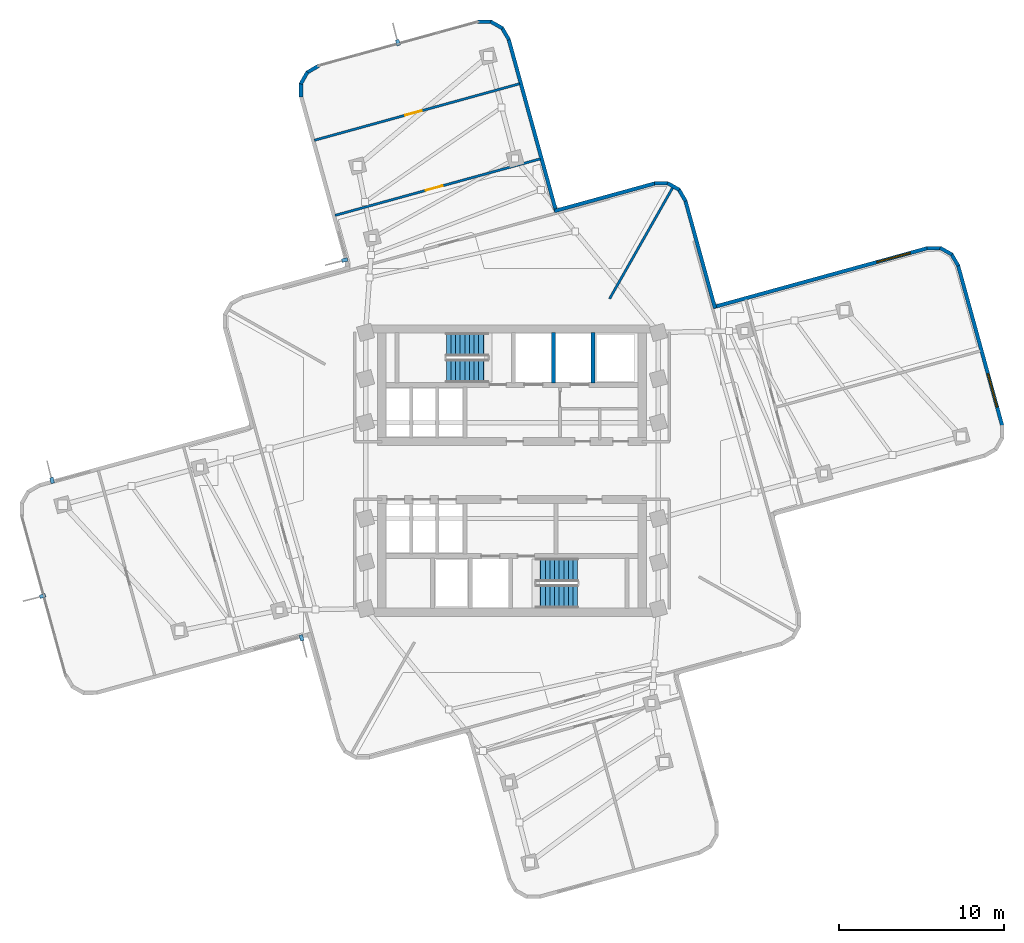
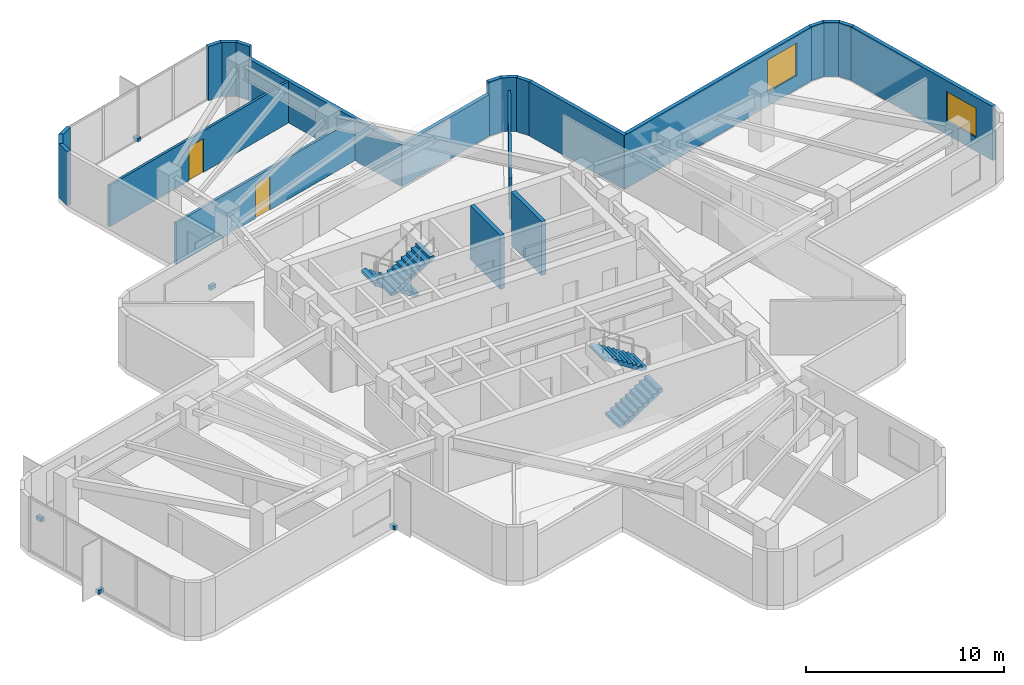
# One storey, part 9 of 12: 22 walls, 5 discrete accessories, 4 stair flights, 2 doors, 2 windows, 4 openings, 2 elements without a shape of their own.
"""IFC4 building model written with IfcOpenShell, lengths in metres."""

from ifc_helpers import new_model, si_unit, direction, frame, frame_2d, origin, origin_2d, place, context, subcontext, project, spatial, polyline, rectangle, outline, extrude, material, layer, layer_set, type_object, element, fill, aggregate, save


model = new_model("IFC4")

# Units and contexts
model_context = context("Model", 3, precision=1e-05, world=origin(), true_north=direction((0.0, 1.0)))
body_context = subcontext(model_context, "Body", "Model", "MODEL_VIEW")
ifc_project = project(units=[si_unit("LENGTHUNIT", "METRE"), si_unit("AREAUNIT", "SQUARE_METRE"), si_unit("VOLUMEUNIT", "CUBIC_METRE"), si_unit("PLANEANGLEUNIT", "RADIAN"), si_unit("MASSUNIT", "GRAM", prefix="KILO")], contexts=[model_context])

# Site, building, storey
site_placement = place(None, origin())
site = spatial("IfcSite", under=ifc_project, at=site_placement, CompositionType="ELEMENT")
building_placement = place(site_placement, origin())
building = spatial("IfcBuilding", under=site, at=building_placement, Name="Solmarez Civic Tower", CompositionType="ELEMENT")
storey_placement = place(building_placement, frame((0.0, 0.0, 134.280029296875)))
storey = spatial("IfcBuildingStorey", under=building, at=storey_placement, Name="L35", CompositionType="ELEMENT", Elevation=134.280029296875)

# Walls
ifc_material_1 = material(Name="Precast concrete C40/50", Category="concrete")
ifc_layer_1 = layer(ifc_material_1, 0.219970703125)
ifc_layer_set_1 = layer_set([ifc_layer_1], Name="Precast concrete C40/50")
wall_type_1 = type_object("IfcWallType", Name="WALL-EXT-220", PredefinedType="SOLIDWALL", material=ifc_layer_set_1)
wall_1_placement = place(storey_placement, frame((-12.751953125, 22.5859375, 0.0), z_axis=(0.0, 0.0, 1.0), x_axis=(-0.007318305188, 0.999973220846, 0.0)))
element("IfcWall", 1, at=wall_1_placement, inside=storey, type_object=wall_type_1, Name="L35 Exterior Precast Wall 21", PredefinedType="SOLIDWALL", context=body_context, shape_type="SweptSolid", body=[
    extrude(rectangle(XDim=0.833984375, YDim=0.219970703125, at=frame_2d((0.4169921875, 0.0))), origin(), (0.0, 0.0, 1.0), 3.320068359375),
])
wall_2_placement = place(storey_placement, frame((-12.77001953125, 23.373046875, 0.0), z_axis=(0.0, 0.0, 1.0), x_axis=(0.493087743786, 0.869979584202, 0.0)))
element("IfcWall", 2, at=wall_2_placement, inside=storey, type_object=wall_type_1, Name="L35 Exterior Precast Wall 22", PredefinedType="SOLIDWALL", context=body_context, shape_type="SweptSolid", body=[
    extrude(rectangle(XDim=0.8193359375, YDim=0.219970703125, at=frame_2d((0.40966796875, 0.0))), origin(), (0.0, 0.0, 1.0), 3.320068359375),
])
wall_3_placement = place(storey_placement, frame((-12.39990234375, 24.051025390625, 0.0), z_axis=(0.0, 0.0, 1.0), x_axis=(0.862451814289, 0.506139178517, 0.0)))
element("IfcWall", 3, at=wall_3_placement, inside=storey, type_object=wall_type_1, Name="L35 Exterior Precast Wall 23", PredefinedType="SOLIDWALL", context=body_context, shape_type="SweptSolid", body=[
    extrude(rectangle(XDim=0.8359375, YDim=0.219970703125, at=frame_2d((0.41796875, 0.0))), origin(), (0.0, 0.0, 1.0), 3.320068359375),
])
wall_4_placement = place(storey_placement, frame((-2.074951171875, 27.118896484375, 0.0), z_axis=(0.0, 0.0, 1.0), x_axis=(0.999973220846, 0.007318305188, 0.0)))
element("IfcWall", 4, at=wall_4_placement, inside=storey, type_object=wall_type_1, Name="L35 Exterior Precast Wall 25", PredefinedType="SOLIDWALL", context=body_context, shape_type="SweptSolid", body=[
    extrude(rectangle(XDim=0.833984375, YDim=0.219970703125, at=frame_2d((0.4169921875, 0.0))), origin(), (0.0, 0.0, 1.0), 3.320068359375),
])
wall_5_placement = place(storey_placement, frame((-1.2880859375, 27.136962890625, 0.0), z_axis=(0.0, 0.0, 1.0), x_axis=(0.87005199541, -0.492959963164, 0.0)))
element("IfcWall", 5, at=wall_5_placement, inside=storey, type_object=wall_type_1, Name="L35 Exterior Precast Wall 26", PredefinedType="SOLIDWALL", context=body_context, shape_type="SweptSolid", body=[
    extrude(rectangle(XDim=0.819580078125, YDim=0.219970703125, at=frame_2d((0.40966796875, 0.0))), origin(), (0.0, 0.0, 1.0), 3.320068359375),
])
wall_6_placement = place(storey_placement, frame((-0.610107421875, 26.76708984375, 0.0), z_axis=(0.0, 0.0, 1.0), x_axis=(0.506011715077, -0.862526604926, 0.0)))
element("IfcWall", 6, at=wall_6_placement, inside=storey, type_object=wall_type_1, Name="L35 Exterior Precast Wall 27", PredefinedType="SOLIDWALL", context=body_context, shape_type="SweptSolid", body=[
    extrude(rectangle(XDim=0.836181640625, YDim=0.219970703125, at=frame_2d((0.41796875, 0.0))), origin(), (0.0, 0.0, 1.0), 3.320068359375),
])
wall_7_placement = place(storey_placement, frame((-0.20703125, 26.092041015625, 0.0), z_axis=(0.0, 0.0, 1.0), x_axis=(0.265529084478, -0.964102849958, 0.0)))
element("IfcWall", 7, at=wall_7_placement, inside=storey, type_object=wall_type_1, Name="L35 Exterior Precast Wall 28", PredefinedType="SOLIDWALL", context=body_context, shape_type="SweptSolid", body=[
    extrude(rectangle(XDim=10.857666015625, YDim=0.219970703125, at=frame_2d((5.4287109375, 0.0))), origin(), (0.0, 0.0, 1.0), 2.550048828125),
])
wall_8_placement = place(storey_placement, frame((2.568115234375, 15.68603515625, 0.0), z_axis=(0.0, 0.0, 1.0), x_axis=(0.964094670911, 0.265558779784, 0.0)))
element("IfcWall", 8, at=wall_8_placement, inside=storey, type_object=wall_type_1, Name="L35 Exterior Precast Wall 31", PredefinedType="SOLIDWALL", context=body_context, shape_type="SweptSolid", body=[
    extrude(rectangle(XDim=6.318603515625, YDim=0.219970703125, at=frame_2d((3.1591796875, 0.0))), origin(), (0.0, 0.0, 1.0), 2.550048828125),
])
wall_9_placement = place(storey_placement, frame((8.611083984375, 17.35693359375, 0.0), z_axis=(0.0, 0.0, 1.0), x_axis=(0.999981148579, 0.006140235123, 0.0)))
element("IfcWall", 9, at=wall_9_placement, inside=storey, type_object=wall_type_1, Name="L35 Exterior Precast Wall 32", PredefinedType="SOLIDWALL", context=body_context, shape_type="SweptSolid", body=[
    extrude(rectangle(XDim=0.8349609375, YDim=0.219970703125, at=frame_2d((0.41748046875, 0.0))), origin(), (0.0, 0.0, 1.0), 3.320068359375),
])
wall_10_placement = place(storey_placement, frame((9.39892578125, 17.3740234375, 0.0), z_axis=(0.0, 0.0, 1.0), x_axis=(0.87005199541, -0.492959963164, 0.0)))
element("IfcWall", 10, at=wall_10_placement, inside=storey, type_object=wall_type_1, Name="L35 Exterior Precast Wall 33", PredefinedType="SOLIDWALL", context=body_context, shape_type="SweptSolid", body=[
    extrude(rectangle(XDim=0.819580078125, YDim=0.219970703125, at=frame_2d((0.40966796875, 0.0))), origin(), (0.0, 0.0, 1.0), 3.320068359375),
])
wall_11_placement = place(storey_placement, frame((10.076904296875, 17.00390625, 0.0), z_axis=(0.0, 0.0, 1.0), x_axis=(0.505779557172, -0.862662761192, 0.0)))
element("IfcWall", 11, at=wall_11_placement, inside=storey, type_object=wall_type_1, Name="L35 Exterior Precast Wall 34", PredefinedType="SOLIDWALL", context=body_context, shape_type="SweptSolid", body=[
    extrude(rectangle(XDim=0.83447265625, YDim=0.219970703125, at=frame_2d((0.417236328125, 0.0))), origin(), (0.0, 0.0, 1.0), 3.320068359375),
])
wall_12_placement = place(storey_placement, frame((10.47900390625, 16.330078125, 0.0), z_axis=(0.0, 0.0, 1.0), x_axis=(0.265567840793, -0.964092175021, 0.0)))
element("IfcWall", 12, at=wall_12_placement, inside=storey, type_object=wall_type_1, Name="L35 Exterior Precast Wall 35", PredefinedType="SOLIDWALL", context=body_context, shape_type="SweptSolid", body=[
    extrude(rectangle(XDim=6.7587890625, YDim=0.219970703125, at=frame_2d((3.37939453125, 0.0))), origin(), (0.0, 0.0, 1.0), 3.320068359375),
])

# Wall, opening, window
wall_13_placement = place(storey_placement, frame((12.166015625, 9.8759765625, 0.0), z_axis=(0.0, 0.0, 1.0), x_axis=(0.964099811745, 0.2655401156, 0.0)))
wall_13 = element("IfcWall", 13, at=wall_13_placement, inside=storey, type_object=wall_type_1, Name="L35 Exterior Precast Wall 38", PredefinedType="SOLIDWALL", context=body_context, shape_type="SweptSolid", body=[
    extrude(rectangle(XDim=13.459228515625, YDim=0.219970703125, at=frame_2d((6.7294921875, 0.0))), origin(), (0.0, 0.0, 1.0), 3.320068359375),
])
opening_1_placement = place(wall_13_placement, frame((10.259033203125, 0.0, 0.85009765625)))
opening_1 = element("IfcOpeningElement", 14, at=opening_1_placement, cuts=wall_13, Name="Opening W-03", PredefinedType="OPENING", context=body_context, shape_type="SweptSolid", body=[
    extrude(rectangle(XDim=2.10009765625, YDim=2.0, at=frame_2d((1.050048828125, 1.0))), frame((0.0, 0.119873046875, 0.0), z_axis=(0.0, -1.0, 0.0), x_axis=(1.0, 0.0, 0.0)), (0.0, 0.0, 1.0), 0.239990234375),
])
ifc_material_2 = material(Name="Solar Control Bronze-Tinted Insulating Glass", Category="glass")
window_type_1 = type_object("IfcWindowType", Name="WIN-2100X2000", PartitioningType="SINGLE_PANEL", PredefinedType="WINDOW", material=ifc_material_2)
window_1_placement = place(opening_1_placement, origin())
window_1 = element("IfcWindow", 15, at=window_1_placement, inside=storey, type_object=window_type_1, Name="L35 Exterior Facade Window 38", OverallHeight=2.0, OverallWidth=2.10009765625, PartitioningType="SINGLE_PANEL", PredefinedType="WINDOW", context=body_context, shape_type="SweptSolid", body=[
    extrude(rectangle(XDim=2.10009765625, YDim=2.0, at=frame_2d((1.050048828125, 1.0))), frame((0.0, 0.030029296875, 0.0), z_axis=(0.0, -1.0, 0.0), x_axis=(1.0, 0.0, 0.0)), (0.0, 0.0, 1.0), 0.06005859375),
])
fill(opening_1, window_1)

# Walls
wall_14_placement = place(storey_placement, frame((25.093017578125, 13.443115234375, 0.0), z_axis=(0.0, 0.0, 1.0), x_axis=(0.999982861094, 0.005854700592, 0.0)))
element("IfcWall", 16, at=wall_14_placement, inside=storey, type_object=wall_type_1, Name="L35 Exterior Precast Wall 39", PredefinedType="SOLIDWALL", context=body_context, shape_type="SweptSolid", body=[
    extrude(rectangle(XDim=0.833984375, YDim=0.219970703125, at=frame_2d((0.4169921875, 0.0))), origin(), (0.0, 0.0, 1.0), 3.320068359375),
])
wall_15_placement = place(storey_placement, frame((25.8798828125, 13.4599609375, 0.0), z_axis=(0.0, 0.0, 1.0), x_axis=(0.87005199541, -0.492959963164, 0.0)))
element("IfcWall", 17, at=wall_15_placement, inside=storey, type_object=wall_type_1, Name="L35 Exterior Precast Wall 40", PredefinedType="SOLIDWALL", context=body_context, shape_type="SweptSolid", body=[
    extrude(rectangle(XDim=0.819580078125, YDim=0.219970703125, at=frame_2d((0.40966796875, 0.0))), origin(), (0.0, 0.0, 1.0), 3.320068359375),
])
wall_16_placement = place(storey_placement, frame((26.55810546875, 13.090087890625, 0.0), z_axis=(0.0, 0.0, 1.0), x_axis=(0.506432207312, -0.862279780232, 0.0)))
element("IfcWall", 18, at=wall_16_placement, inside=storey, type_object=wall_type_1, Name="L35 Exterior Precast Wall 41", PredefinedType="SOLIDWALL", context=body_context, shape_type="SweptSolid", body=[
    extrude(rectangle(XDim=0.8349609375, YDim=0.219970703125, at=frame_2d((0.41748046875, 0.0))), origin(), (0.0, 0.0, 1.0), 3.320068359375),
])

# Wall, opening, window
wall_17_placement = place(storey_placement, frame((26.9609375, 12.416015625, 0.0), z_axis=(0.0, 0.0, 1.0), x_axis=(0.265584520086, -0.964087580405, 0.0)))
wall_17 = element("IfcWall", 19, at=wall_17_placement, inside=storey, type_object=wall_type_1, Name="L35 Exterior Precast Wall 42", PredefinedType="SOLIDWALL", context=body_context, shape_type="SweptSolid", body=[
    extrude(rectangle(XDim=10.061279296875, YDim=0.219970703125, at=frame_2d((5.03076171875, 0.0))), origin(), (0.0, 0.0, 1.0), 3.320068359375),
])
opening_2_placement = place(wall_17_placement, frame((6.798095703125, 0.0, 0.85009765625)))
opening_2 = element("IfcOpeningElement", 20, at=opening_2_placement, cuts=wall_17, Name="Opening W-07", PredefinedType="OPENING", context=body_context, shape_type="SweptSolid", body=[
    extrude(rectangle(XDim=2.10009765625, YDim=1.800048828125, at=frame_2d((1.050048828125, 0.89990234375))), frame((0.0, 0.119873046875, 0.0), z_axis=(0.0, -1.0, 0.0), x_axis=(1.0, 0.0, 0.0)), (0.0, 0.0, 1.0), 0.239990234375),
])
window_type_2 = type_object("IfcWindowType", Name="WIN-2100X1800", PartitioningType="SINGLE_PANEL", PredefinedType="WINDOW", material=ifc_material_2)
window_2_placement = place(opening_2_placement, origin())
window_2 = element("IfcWindow", 21, at=window_2_placement, inside=storey, type_object=window_type_2, Name="L35 Exterior Facade Window 42", OverallHeight=1.800048828125, OverallWidth=2.10009765625, PartitioningType="SINGLE_PANEL", PredefinedType="WINDOW", context=body_context, shape_type="SweptSolid", body=[
    extrude(rectangle(XDim=2.10009765625, YDim=1.800048828125, at=frame_2d((1.050048828125, 0.89990234375))), frame((0.0, 0.030029296875, 0.0), z_axis=(0.0, -1.0, 0.0), x_axis=(1.0, 0.0, 0.0)), (0.0, 0.0, 1.0), 0.06005859375),
])
fill(opening_2, window_2)

# Wall
ifc_material_3 = material(Name="Gypsum Board Acoustic Steel-Stud Partition", Category="steel")
ifc_layer_2 = layer(ifc_material_3, 0.14501953125)
ifc_layer_set_2 = layer_set([ifc_layer_2], Name="Gypsum Board Acoustic Steel-Stud Partition")
wall_type_2 = type_object("IfcWallType", Name="WALL-INT-PART-150", PredefinedType="PARTITIONING", material=ifc_layer_set_2)
wall_18_placement = place(storey_placement, frame((5.89697265625, 10.3798828125, 0.0), z_axis=(0.0, 0.0, 1.0), x_axis=(0.49389771586, 0.869520009125, 0.0)))
element("IfcWall", 22, at=wall_18_placement, inside=storey, type_object=wall_type_2, Name="L35 Interior Partition PT-L35-QDIV-1", PredefinedType="PARTITIONING", context=body_context, shape_type="SweptSolid", body=[
    extrude(rectangle(XDim=7.736572265625, YDim=0.14501953125, at=frame_2d((3.8681640625, 0.0))), origin(), (0.0, 0.0, 1.0), 2.550048828125),
])

# Wall, opening, door
wall_19_placement = place(storey_placement, frame((-10.695068359375, 15.423095703125, 0.0), z_axis=(0.0, 0.0, 1.0), x_axis=(0.96409048194, 0.265573987115, 0.0)))
wall_19 = element("IfcWall", 23, at=wall_19_placement, inside=storey, type_object=wall_type_2, Name="L35 Interior Partition PT-L35-N-SC1", PredefinedType="PARTITIONING", context=body_context, shape_type="SweptSolid", body=[
    extrude(rectangle(XDim=12.8701171875, YDim=0.14501953125, at=frame_2d((6.43505859375, 0.0))), origin(), (0.0, 0.0, 1.0), 2.550048828125),
])
opening_3_placement = place(wall_19_placement, frame((5.68994140625, 0.0, 0.0)))
opening_3 = element("IfcOpeningElement", 24, at=opening_3_placement, cuts=wall_19, Name="Opening D-13", PredefinedType="OPENING", context=body_context, shape_type="SweptSolid", body=[
    extrude(rectangle(XDim=1.050048828125, YDim=2.080078125, at=frame_2d((0.52490234375, 1.0400390625))), frame((0.0, 0.08251953125, 0.0), z_axis=(0.0, -1.0, 0.0), x_axis=(1.0, 0.0, 0.0)), (0.0, 0.0, 1.0), 0.1650390625),
])
ifc_material_4 = material(Name="Timber Directorate Office Door", Category="wood")
door_type = type_object("IfcDoorType", Name="DOOR-INT-1050", OperationType="NOTDEFINED", PredefinedType="DOOR", material=ifc_material_4)
door_1_placement = place(opening_3_placement, origin())
door_1 = element("IfcDoor", 25, at=door_1_placement, inside=storey, type_object=door_type, Name="L35 Delegates Sitting Lounge North Door", OperationType="SINGLE_SWING_LEFT", OverallHeight=2.080078125, OverallWidth=1.050048828125, PredefinedType="DOOR", context=body_context, shape_type="SweptSolid", body=[
    extrude(rectangle(XDim=1.050048828125, YDim=2.080078125, at=frame_2d((0.52490234375, 1.0400390625))), frame((0.0, 0.02490234375, 0.0), z_axis=(0.0, -1.0, 0.0), x_axis=(1.0, 0.0, 0.0)), (0.0, 0.0, 1.0), 0.050048828125),
])
fill(opening_3, door_1)

wall_20_placement = place(storey_placement, frame((-11.946044921875, 19.964111328125, 0.0), z_axis=(0.0, 0.0, 1.0), x_axis=(0.96409048194, 0.265573987115, 0.0)))
wall_20 = element("IfcWall", 26, at=wall_20_placement, inside=storey, type_object=wall_type_2, Name="L35 Interior Partition PT-L35-N-SC2", PredefinedType="PARTITIONING", context=body_context, shape_type="SweptSolid", body=[
    extrude(rectangle(XDim=12.8701171875, YDim=0.14501953125, at=frame_2d((6.43505859375, 0.0))), origin(), (0.0, 0.0, 1.0), 2.550048828125),
])
opening_4_placement = place(wall_20_placement, frame((5.68994140625, 0.0, 0.0)))
opening_4 = element("IfcOpeningElement", 27, at=opening_4_placement, cuts=wall_20, Name="Opening D-13", PredefinedType="OPENING", context=body_context, shape_type="SweptSolid", body=[
    extrude(rectangle(XDim=1.050048828125, YDim=2.080078125, at=frame_2d((0.52490234375, 1.0400390625))), frame((0.0, 0.08251953125, 0.0), z_axis=(0.0, -1.0, 0.0), x_axis=(1.0, 0.0, 0.0)), (0.0, 0.0, 1.0), 0.1650390625),
])
door_2_placement = place(opening_4_placement, origin())
door_2 = element("IfcDoor", 28, at=door_2_placement, inside=storey, type_object=door_type, Name="L35 Legislative Seminar Room North Door", OperationType="SINGLE_SWING_RIGHT", OverallHeight=2.080078125, OverallWidth=1.050048828125, PredefinedType="DOOR", context=body_context, shape_type="SweptSolid", body=[
    extrude(rectangle(XDim=1.050048828125, YDim=2.080078125, at=frame_2d((0.52490234375, 1.0400390625))), frame((0.0, 0.02490234375, 0.0), z_axis=(0.0, -1.0, 0.0), x_axis=(1.0, 0.0, 0.0)), (0.0, 0.0, 1.0), 0.050048828125),
])
fill(opening_4, door_2)

# Walls
ifc_material_5 = material(Name="Concrete C50/60", Category="concrete")
ifc_layer_3 = layer(ifc_material_5, 0.300048828125)
ifc_layer_set_3 = layer_set([ifc_layer_3], Name="Concrete C50/60")
wall_type_3 = type_object("IfcWallType", Name="WALL-STR-300", PredefinedType="SOLIDWALL", material=ifc_layer_set_3)
for number, where, z_axis, x_axis, name in (
    (29, (2.5, 5.300048828125, 0.0), (0.0, 0.0, 1.0), (0.0, 1.0, 0.0), "L35 Split-Core Structural Wall SHW-N2-L35"),
    (30, (4.89990234375, 5.300048828125, 0.0), (0.0, 0.0, 1.0), (0.0, 1.0, 0.0), "L35 Split-Core Structural Wall SHW-N3-L35"),
):
    element("IfcWall", number, at=place(storey_placement, frame(where, z_axis=z_axis, x_axis=x_axis)), inside=storey, type_object=wall_type_3, Name=name, PredefinedType="SOLIDWALL", context=body_context, shape_type="SweptSolid", body=[
        extrude(rectangle(XDim=3.0400390625, YDim=0.25, at=frame_2d((1.52001953125, 0.0))), origin(), (0.0, 0.0, 1.0), 3.320068359375),
    ])

# Stair, stair flights
stair_type = type_object("IfcStairType", Name="STAIR-DOGLEG-140W-20R-1800", PredefinedType="HALF_TURN_STAIR", material=ifc_material_5)
stair_1_placement = place(storey_placement, origin())
stair_1 = element("IfcStair", 31, at=stair_1_placement, inside=storey, type_object=stair_type, Name="L35 North Core Protected Exit Stair ST-1", PredefinedType="HALF_TURN_STAIR")
stair_flight_type = type_object("IfcStairFlightType", Name="FLIGHT-DOGLEG-140W-10R-1800", PredefinedType="STRAIGHT", material=ifc_material_5)
stair_flight_1_placement = place(storey_placement, frame((-1.449951171875, 7.6201171875, 0.0), z_axis=(0.0, 0.0, 1.0), x_axis=(-1.0, 0.0, 0.0)))
stair_flight_1 = element("IfcStairFlight", 32, at=stair_flight_1_placement, type_object=stair_flight_type, Name="ST-1 flight 1", NumberOfRisers=10, NumberOfTreads=9, PredefinedType="STRAIGHT", RiserHeight=0.18, TreadLength=0.28, context=body_context, shape_type="SweptSolid", body=[
    extrude(outline(polyline([(0.0, 0.0), (0.0, 0.179931640625), (0.280029296875, 0.179931640625), (0.280029296875, 0.360107421875), (0.56005859375, 0.360107421875), (0.56005859375, 0.5400390625), (0.840087890625, 0.5400390625), (0.840087890625, 0.719970703125), (1.1201171875, 0.719970703125), (1.1201171875, 0.89990234375), (1.39990234375, 0.89990234375), (1.39990234375, 1.080078125), (1.679931640625, 1.080078125), (1.679931640625, 1.260009765625), (1.9599609375, 1.260009765625), (1.9599609375, 1.43994140625), (2.239990234375, 1.43994140625), (2.239990234375, 1.6201171875), (2.52001953125, 1.6201171875), (2.52001953125, 1.800048828125), (2.52001953125, 1.429931640625), (0.295654296875, 0.0), (0.0, 0.0)])), frame((0.0, 0.699951171875, 0.0), z_axis=(0.0, -1.0, 0.0), x_axis=(1.0, 0.0, 0.0)), (0.0, 0.0, 1.0), 1.39990234375),
])
stair_flight_2_placement = place(storey_placement, frame((-3.969970703125, 6.02001953125, 1.800048828125), z_axis=(0.0, 0.0, 1.0), x_axis=(1.0, 0.0, 0.0)))
stair_flight_2 = element("IfcStairFlight", 33, at=stair_flight_2_placement, type_object=stair_flight_type, Name="ST-1 flight 2", NumberOfRisers=10, NumberOfTreads=9, PredefinedType="STRAIGHT", RiserHeight=0.18, TreadLength=0.28, context=body_context, shape_type="SweptSolid", body=[
    extrude(outline(polyline([(0.0, 0.0), (0.0, 0.179931640625), (0.280029296875, 0.179931640625), (0.280029296875, 0.360107421875), (0.56005859375, 0.360107421875), (0.56005859375, 0.5400390625), (0.840087890625, 0.5400390625), (0.840087890625, 0.719970703125), (1.1201171875, 0.719970703125), (1.1201171875, 0.89990234375), (1.39990234375, 0.89990234375), (1.39990234375, 1.080078125), (1.679931640625, 1.080078125), (1.679931640625, 1.260009765625), (1.9599609375, 1.260009765625), (1.9599609375, 1.43994140625), (2.239990234375, 1.43994140625), (2.239990234375, 1.6201171875), (2.52001953125, 1.6201171875), (2.52001953125, 1.800048828125), (2.52001953125, 1.429931640625), (0.295654296875, 0.0), (0.0, 0.0)])), frame((0.0, 0.699951171875, 0.0), z_axis=(0.0, -1.0, 0.0), x_axis=(1.0, 0.0, 0.0)), (0.0, 0.0, 1.0), 1.39990234375),
])
aggregate(stair_1, [stair_flight_1, stair_flight_2])

stair_2_placement = place(storey_placement, origin())
stair_2 = element("IfcStair", 34, at=stair_2_placement, inside=storey, type_object=stair_type, Name="L35 South Core Protected Exit Stair ST-2", PredefinedType="HALF_TURN_STAIR")
stair_flight_3_placement = place(storey_placement, frame((1.449951171875, -7.6201171875, 0.0), z_axis=(0.0, 0.0, 1.0), x_axis=(1.0, 0.0, 0.0)))
stair_flight_3 = element("IfcStairFlight", 35, at=stair_flight_3_placement, type_object=stair_flight_type, Name="ST-2 flight 1", NumberOfRisers=10, NumberOfTreads=9, PredefinedType="STRAIGHT", RiserHeight=0.18, TreadLength=0.28, context=body_context, shape_type="SweptSolid", body=[
    extrude(outline(polyline([(0.0, 0.0), (0.0, 0.179931640625), (0.280029296875, 0.179931640625), (0.280029296875, 0.360107421875), (0.56005859375, 0.360107421875), (0.56005859375, 0.5400390625), (0.840087890625, 0.5400390625), (0.840087890625, 0.719970703125), (1.1201171875, 0.719970703125), (1.1201171875, 0.89990234375), (1.39990234375, 0.89990234375), (1.39990234375, 1.080078125), (1.679931640625, 1.080078125), (1.679931640625, 1.260009765625), (1.9599609375, 1.260009765625), (1.9599609375, 1.43994140625), (2.239990234375, 1.43994140625), (2.239990234375, 1.6201171875), (2.52001953125, 1.6201171875), (2.52001953125, 1.800048828125), (2.52001953125, 1.429931640625), (0.295654296875, 0.0), (0.0, 0.0)])), frame((0.0, 0.699951171875, 0.0), z_axis=(0.0, -1.0, 0.0), x_axis=(1.0, 0.0, 0.0)), (0.0, 0.0, 1.0), 1.39990234375),
])
stair_flight_4_placement = place(storey_placement, frame((3.969970703125, -6.02001953125, 1.800048828125), z_axis=(0.0, 0.0, 1.0), x_axis=(-1.0, 0.0, 0.0)))
stair_flight_4 = element("IfcStairFlight", 36, at=stair_flight_4_placement, type_object=stair_flight_type, Name="ST-2 flight 2", NumberOfRisers=10, NumberOfTreads=9, PredefinedType="STRAIGHT", RiserHeight=0.18, TreadLength=0.28, context=body_context, shape_type="SweptSolid", body=[
    extrude(outline(polyline([(0.0, 0.0), (0.0, 0.179931640625), (0.280029296875, 0.179931640625), (0.280029296875, 0.360107421875), (0.56005859375, 0.360107421875), (0.56005859375, 0.5400390625), (0.840087890625, 0.5400390625), (0.840087890625, 0.719970703125), (1.1201171875, 0.719970703125), (1.1201171875, 0.89990234375), (1.39990234375, 0.89990234375), (1.39990234375, 1.080078125), (1.679931640625, 1.080078125), (1.679931640625, 1.260009765625), (1.9599609375, 1.260009765625), (1.9599609375, 1.43994140625), (2.239990234375, 1.43994140625), (2.239990234375, 1.6201171875), (2.52001953125, 1.6201171875), (2.52001953125, 1.800048828125), (2.52001953125, 1.429931640625), (0.295654296875, 0.0), (0.0, 0.0)])), frame((0.0, 0.699951171875, 0.0), z_axis=(0.0, -1.0, 0.0), x_axis=(1.0, 0.0, 0.0)), (0.0, 0.0, 1.0), 1.39990234375),
])
aggregate(stair_2, [stair_flight_3, stair_flight_4])

# Discrete accessories
ifc_material_6 = material(Name="Stainless Steel Grade 1.4401", Category="steel")
discrete_accessory_type = type_object("IfcDiscreteAccessoryType", Name="BRACKET-SS-FIN", PredefinedType="BRACKET", material=ifc_material_6)
for number, where, z_axis, x_axis, name in (
    (37, (-12.722900390625, -10.112060546875, -0.06005859375), (0.0, 0.0, 1.0), (0.265544815789, -0.964098517169, 0.0), "L35 Stainless Fin Support Bracket FIN-L35-01"),
    (38, (-28.3740234375, -7.5869140625, -0.06005859375), (0.0, 0.0, 1.0), (-0.964110842164, -0.265500064071, 0.0), "L35 Stainless Fin Support Bracket FIN-L35-02"),
    (39, (-27.801025390625, -0.593994140625, -0.06005859375), (0.0, 0.0, 1.0), (-0.265494348689, 0.964112416067, 0.0), "L35 Stainless Fin Support Bracket FIN-L35-03"),
    (40, (-10.112060546875, 12.722900390625, -0.06005859375), (0.0, 0.0, 1.0), (-0.964110160999, -0.265502537575, 0.0), "L35 Stainless Fin Support Bracket FIN-L35-04"),
    (41, (-6.89697265625, 25.866943359375, -0.06005859375), (0.0, 0.0, 1.0), (-0.265525634703, 0.964103800073, 0.0), "L35 Stainless Fin Support Bracket FIN-L35-05"),
):
    element("IfcDiscreteAccessory", number, at=place(storey_placement, frame(where, z_axis=z_axis, x_axis=x_axis)), inside=storey, type_object=discrete_accessory_type, Name=name, PredefinedType="BRACKET", context=body_context, shape_type="SweptSolid", body=[
        extrude(rectangle(XDim=0.360107421875, YDim=0.219970703125, at=origin_2d()), origin(), (0.0, 0.0, 1.0), 0.239990234375),
    ])

save(model, "model.ifc")
